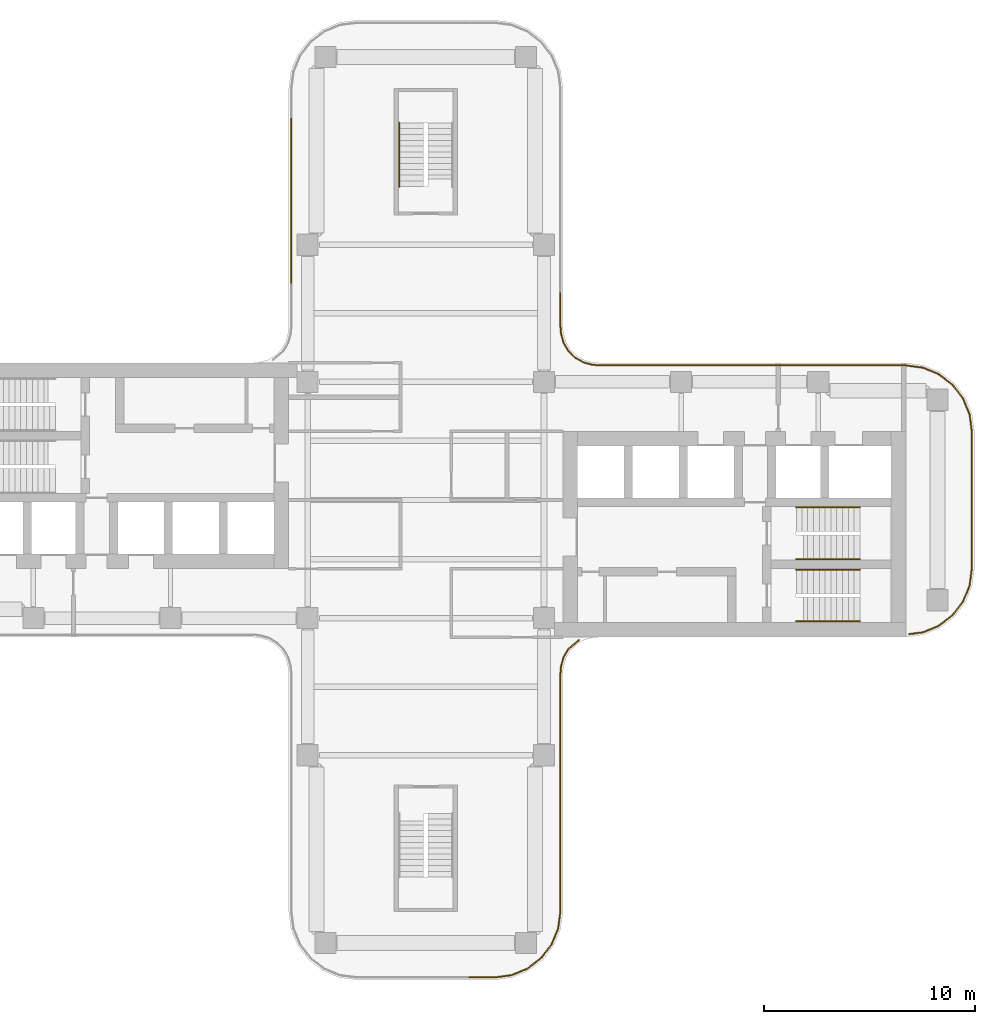
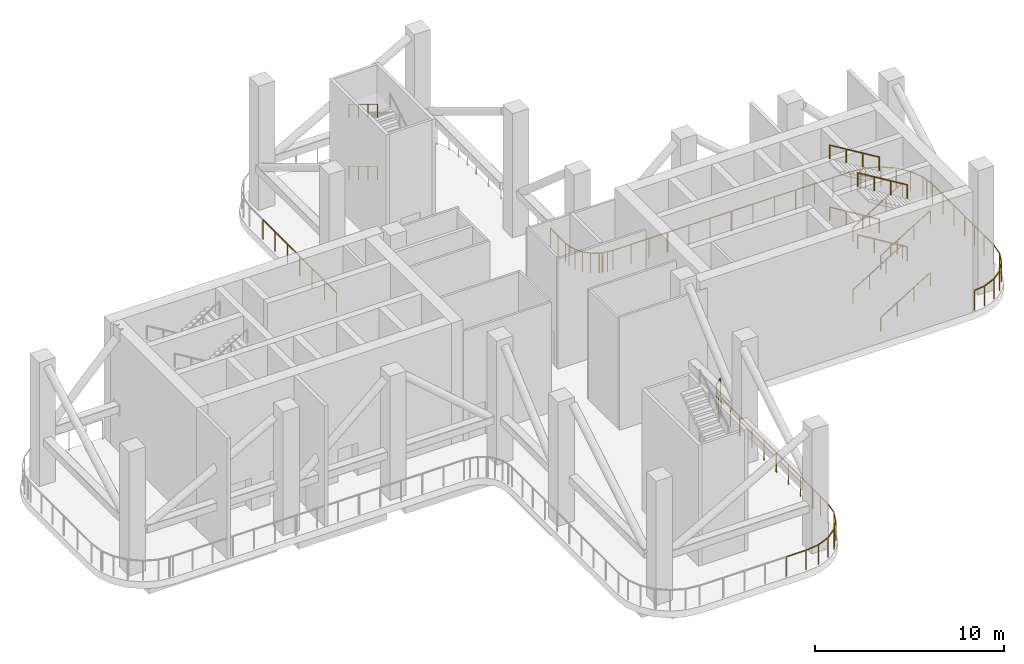
# One storey, part 8 of 9: 26 railings.
"""IFC4 building model written with IfcOpenShell, lengths in metres."""

from ifc_helpers import new_model, si_unit, direction, frame, origin, origin_2d, place, context, subcontext, project, spatial, rectangle, circle, extrude, source, transform, mapped, material, type_object, element, save


model = new_model("IFC4")

# Units and contexts
model_context = context("Model", 3, precision=1e-05, world=origin(), true_north=direction((0.0, 1.0)))
body_context = subcontext(model_context, "Body", "Model", "MODEL_VIEW")
ifc_project = project(units=[si_unit("LENGTHUNIT", "METRE"), si_unit("AREAUNIT", "SQUARE_METRE"), si_unit("VOLUMEUNIT", "CUBIC_METRE"), si_unit("PLANEANGLEUNIT", "RADIAN"), si_unit("MASSUNIT", "GRAM", prefix="KILO")], contexts=[model_context])

# Site, building, storey
site_placement = place(None, origin())
site = spatial("IfcSite", under=ifc_project, at=site_placement, CompositionType="ELEMENT")
building_placement = place(site_placement, origin())
building = spatial("IfcBuilding", under=site, at=building_placement, Name="Trellis Farm Tower", CompositionType="ELEMENT")
storey_placement = place(building_placement, frame((0.0, 0.0, 271.39990234375)))
storey = spatial("IfcBuildingStorey", under=building, at=storey_placement, Name="L61", CompositionType="ELEMENT", Elevation=271.39990234375)

# Railings
ifc_material_1 = material(Name="Stainless steel 316", Category="steel")
railing_type_1 = type_object("IfcRailingType", Name="BALUSTRADE GUARD 1300", PredefinedType="GUARDRAIL", material=ifc_material_1)
railing_1_placement = place(storey_placement, frame((-6.3798828125, 10.301025390625, 0.0)))
element("IfcRailing", 1, at=railing_1_placement, inside=storey, type_object=railing_type_1, Name="GD3 EDGE-2", PredefinedType="GUARDRAIL", context=body_context, shape_type="SweptSolid", body=[
    extrude(rectangle(XDim=0.050048828125, YDim=0.050048828125, at=origin_2d()), frame((0.0, 0.0, 1.27490234375), z_axis=(0.0, 1.0, 0.0), x_axis=(-1.0, 0.0, 0.0)), (0.0, 0.0, 1.0), 3.866943359375),
    extrude(rectangle(XDim=0.0400390625, YDim=0.0400390625, at=origin_2d()), origin(), (0.0, 0.0, 1.0), 1.25),
    extrude(rectangle(XDim=0.0400390625, YDim=0.0400390625, at=origin_2d()), frame((0.0, 1.2890625, 0.0)), (0.0, 0.0, 1.0), 1.25),
    extrude(rectangle(XDim=0.0400390625, YDim=0.0400390625, at=origin_2d()), frame((0.0, 2.577880859375, 0.0)), (0.0, 0.0, 1.0), 1.25),
    extrude(rectangle(XDim=0.0400390625, YDim=0.0400390625, at=origin_2d()), frame((0.0, 3.866943359375, 0.0)), (0.0, 0.0, 1.0), 1.25),
])
railing_2_placement = place(storey_placement, frame((6.3798828125, 9.795166015625, 0.0)))
element("IfcRailing", 2, at=railing_2_placement, inside=storey, type_object=railing_type_1, Name="GD3 EDGE-11", PredefinedType="GUARDRAIL", context=body_context, shape_type="SweptSolid", body=[
    extrude(rectangle(XDim=0.050048828125, YDim=0.050048828125, at=origin_2d()), frame((0.0, 0.0, 1.27490234375), z_axis=(0.0, -1.0, 0.0), x_axis=(1.0, 0.0, 0.0)), (0.0, 0.0, 1.0), 1.567626953125),
    extrude(rectangle(XDim=0.050048828125, YDim=0.050048828125, at=origin_2d()), frame((0.0, -1.567626953125, 1.27490234375), z_axis=(0.088443887633, -0.99608116072, 0.0), x_axis=(0.99608116072, 0.088443887633, 0.0)), (0.0, 0.0, 1.0), 0.336669921875),
    extrude(rectangle(XDim=0.050048828125, YDim=0.050048828125, at=origin_2d()), frame((0.02978515625, -1.903076171875, 1.27490234375), z_axis=(0.258891443638, -0.965906424252, 0.0), x_axis=(0.965906424252, 0.258891443638, 0.0)), (0.0, 0.0, 1.0), 0.445068359375),
    extrude(rectangle(XDim=0.050048828125, YDim=0.050048828125, at=origin_2d()), frame((0.14501953125, -2.3330078125, 1.27490234375), z_axis=(0.499971721724, -0.866041729639, 0.0), x_axis=(0.866041729639, 0.499971721724, 0.0)), (0.0, 0.0, 1.0), 0.4521484375),
    extrude(rectangle(XDim=0.050048828125, YDim=0.050048828125, at=origin_2d()), frame((0.37109375, -2.724609375, 1.27490234375), z_axis=(0.707106781187, -0.707106781187, 0.0), x_axis=(0.707106781187, 0.707106781187, 0.0)), (0.0, 0.0, 1.0), 0.451904296875),
    extrude(rectangle(XDim=0.050048828125, YDim=0.050048828125, at=origin_2d()), frame((0.690673828125, -3.044189453125, 1.27490234375), z_axis=(0.866041729639, -0.499971721724, 0.0), x_axis=(0.499971721724, 0.866041729639, 0.0)), (0.0, 0.0, 1.0), 0.4521484375),
    extrude(rectangle(XDim=0.050048828125, YDim=0.050048828125, at=origin_2d()), frame((1.082275390625, -3.270263671875, 1.27490234375), z_axis=(0.965805806367, -0.259266550846, 0.0), x_axis=(0.259266550846, 0.965805806367, 0.0)), (0.0, 0.0, 1.0), 0.1611328125),
    extrude(rectangle(XDim=0.0400390625, YDim=0.0400390625, at=origin_2d()), origin(), (0.0, 0.0, 1.0), 1.25),
    extrude(rectangle(XDim=0.0400390625, YDim=0.0400390625, at=origin_2d()), frame((0.0, -0.78369140625, 0.0)), (0.0, 0.0, 1.0), 1.25),
    extrude(rectangle(XDim=0.0400390625, YDim=0.0400390625, at=origin_2d()), frame((0.0, -1.567626953125, 0.0)), (0.0, 0.0, 1.0), 1.25),
    extrude(rectangle(XDim=0.0400390625, YDim=0.0400390625, at=origin_2d()), frame((0.02978515625, -1.903076171875, 0.0)), (0.0, 0.0, 1.0), 1.25),
    extrude(rectangle(XDim=0.0400390625, YDim=0.0400390625, at=origin_2d()), frame((0.14501953125, -2.3330078125, 0.0)), (0.0, 0.0, 1.0), 1.25),
    extrude(rectangle(XDim=0.0400390625, YDim=0.0400390625, at=origin_2d()), frame((0.37109375, -2.724609375, 0.0)), (0.0, 0.0, 1.0), 1.25),
    extrude(rectangle(XDim=0.0400390625, YDim=0.0400390625, at=origin_2d()), frame((0.690673828125, -3.044189453125, 0.0)), (0.0, 0.0, 1.0), 1.25),
    extrude(rectangle(XDim=0.0400390625, YDim=0.0400390625, at=origin_2d()), frame((1.082275390625, -3.270263671875, 0.0)), (0.0, 0.0, 1.0), 1.25),
    extrude(rectangle(XDim=0.0400390625, YDim=0.0400390625, at=origin_2d()), frame((1.23779296875, -3.31201171875, 0.0)), (0.0, 0.0, 1.0), 1.25),
])
railing_3_placement = place(storey_placement, frame((7.6611328125, 6.471435546875, 0.0)))
element("IfcRailing", 3, at=railing_3_placement, inside=storey, type_object=railing_type_1, Name="GD3 EDGE-12", PredefinedType="GUARDRAIL", context=body_context, shape_type="SweptSolid", body=[
    extrude(rectangle(XDim=0.050048828125, YDim=0.050048828125, at=origin_2d()), frame((0.0, 0.0, 1.27490234375), z_axis=(0.966048244839, -0.258361739899, 0.0), x_axis=(0.258361739899, 0.966048244839, 0.0)), (0.0, 0.0, 1.0), 0.239013671875),
    extrude(rectangle(XDim=0.050048828125, YDim=0.050048828125, at=origin_2d()), frame((0.23095703125, -0.061767578125, 1.27490234375), z_axis=(0.99608116072, -0.088443887633, 0.0), x_axis=(0.088443887633, 0.99608116072, 0.0)), (0.0, 0.0, 1.0), 0.336669921875),
    extrude(rectangle(XDim=0.050048828125, YDim=0.050048828125, at=origin_2d()), frame((0.56640625, -0.091552734375, 1.27490234375), z_axis=(1.0, 0.0, 0.0), x_axis=(0.0, 1.0, 0.0)), (0.0, 0.0, 1.0), 3.290771484375),
    extrude(rectangle(XDim=0.0400390625, YDim=0.0400390625, at=origin_2d()), origin(), (0.0, 0.0, 1.0), 1.25),
    extrude(rectangle(XDim=0.0400390625, YDim=0.0400390625, at=origin_2d()), frame((0.23095703125, -0.061767578125, 0.0)), (0.0, 0.0, 1.0), 1.25),
    extrude(rectangle(XDim=0.0400390625, YDim=0.0400390625, at=origin_2d()), frame((0.56640625, -0.091552734375, 0.0)), (0.0, 0.0, 1.0), 1.25),
    extrude(rectangle(XDim=0.0400390625, YDim=0.0400390625, at=origin_2d()), frame((1.663330078125, -0.091552734375, 0.0)), (0.0, 0.0, 1.0), 1.25),
    extrude(rectangle(XDim=0.0400390625, YDim=0.0400390625, at=origin_2d()), frame((2.76025390625, -0.091552734375, 0.0)), (0.0, 0.0, 1.0), 1.25),
    extrude(rectangle(XDim=0.0400390625, YDim=0.0400390625, at=origin_2d()), frame((3.857177734375, -0.091552734375, 0.0)), (0.0, 0.0, 1.0), 1.25),
])
railing_4_placement = place(storey_placement, frame((19.386962890625, 6.3798828125, 0.0)))
element("IfcRailing", 4, at=railing_4_placement, inside=storey, type_object=railing_type_1, Name="GD3 EDGE-15", PredefinedType="GUARDRAIL", context=body_context, shape_type="SweptSolid", body=[
    extrude(rectangle(XDim=0.050048828125, YDim=0.050048828125, at=origin_2d()), frame((0.0, 0.0, 1.27490234375), z_axis=(1.0, 0.0, 0.0), x_axis=(0.0, 1.0, 0.0)), (0.0, 0.0, 1.0), 3.355224609375),
    extrude(rectangle(XDim=0.050048828125, YDim=0.050048828125, at=origin_2d()), frame((3.355224609375, 0.0, 1.27490234375), z_axis=(0.991472158722, -0.130318680468, 0.0), x_axis=(0.130318680468, 0.991472158722, 0.0)), (0.0, 0.0, 1.0), 0.511474609375),
    extrude(rectangle(XDim=0.0400390625, YDim=0.0400390625, at=origin_2d()), origin(), (0.0, 0.0, 1.0), 1.25),
    extrude(rectangle(XDim=0.0400390625, YDim=0.0400390625, at=origin_2d()), frame((1.118408203125, 0.0, 0.0)), (0.0, 0.0, 1.0), 1.25),
    extrude(rectangle(XDim=0.0400390625, YDim=0.0400390625, at=origin_2d()), frame((2.23681640625, 0.0, 0.0)), (0.0, 0.0, 1.0), 1.25),
    extrude(rectangle(XDim=0.0400390625, YDim=0.0400390625, at=origin_2d()), frame((3.355224609375, 0.0, 0.0)), (0.0, 0.0, 1.0), 1.25),
    extrude(rectangle(XDim=0.0400390625, YDim=0.0400390625, at=origin_2d()), frame((3.8623046875, -0.066650390625, 0.0)), (0.0, 0.0, 1.0), 1.25),
])
railing_5_placement = place(storey_placement, frame((23.2939453125, 6.307373046875, 0.0)))
element("IfcRailing", 5, at=railing_5_placement, inside=storey, type_object=railing_type_1, Name="GD3 EDGE-16", PredefinedType="GUARDRAIL", context=body_context, shape_type="SweptSolid", body=[
    extrude(rectangle(XDim=0.050048828125, YDim=0.050048828125, at=origin_2d()), frame((0.0, 0.0, 1.27490234375), z_axis=(0.991370431245, -0.131090304958, 0.0), x_axis=(0.131090304958, 0.991370431245, 0.0)), (0.0, 0.0, 1.0), 0.26806640625),
    extrude(rectangle(XDim=0.050048828125, YDim=0.050048828125, at=origin_2d()), frame((0.265869140625, -0.03515625, 1.27490234375), z_axis=(0.923914838122, -0.382598185958, 0.0), x_axis=(0.382598185958, 0.923914838122, 0.0)), (0.0, 0.0, 1.0), 0.81689453125),
    extrude(rectangle(XDim=0.050048828125, YDim=0.050048828125, at=origin_2d()), frame((1.0205078125, -0.34765625, 1.27490234375), z_axis=(0.793279109615, -0.608858156099, 0.0), x_axis=(0.608858156099, 0.793279109615, 0.0)), (0.0, 0.0, 1.0), 0.81689453125),
    extrude(rectangle(XDim=0.050048828125, YDim=0.050048828125, at=origin_2d()), frame((1.66845703125, -0.844970703125, 1.27490234375), z_axis=(0.608858156099, -0.793279109615, 0.0), x_axis=(0.793279109615, 0.608858156099, 0.0)), (0.0, 0.0, 1.0), 0.81689453125),
    extrude(rectangle(XDim=0.050048828125, YDim=0.050048828125, at=origin_2d()), frame((2.165771484375, -1.492919921875, 1.27490234375), z_axis=(0.382598185958, -0.923914838122, 0.0), x_axis=(0.923914838122, 0.382598185958, 0.0)), (0.0, 0.0, 1.0), 0.81689453125),
    extrude(rectangle(XDim=0.050048828125, YDim=0.050048828125, at=origin_2d()), frame((2.478271484375, -2.24755859375, 1.27490234375), z_axis=(0.131198066394, -0.991356175839, 0.0), x_axis=(0.991356175839, 0.131198066394, 0.0)), (0.0, 0.0, 1.0), 0.331298828125),
    extrude(rectangle(XDim=0.0400390625, YDim=0.0400390625, at=origin_2d()), origin(), (0.0, 0.0, 1.0), 1.25),
    extrude(rectangle(XDim=0.0400390625, YDim=0.0400390625, at=origin_2d()), frame((0.265869140625, -0.03515625, 0.0)), (0.0, 0.0, 1.0), 1.25),
    extrude(rectangle(XDim=0.0400390625, YDim=0.0400390625, at=origin_2d()), frame((1.0205078125, -0.34765625, 0.0)), (0.0, 0.0, 1.0), 1.25),
    extrude(rectangle(XDim=0.0400390625, YDim=0.0400390625, at=origin_2d()), frame((1.66845703125, -0.844970703125, 0.0)), (0.0, 0.0, 1.0), 1.25),
    extrude(rectangle(XDim=0.0400390625, YDim=0.0400390625, at=origin_2d()), frame((2.165771484375, -1.492919921875, 0.0)), (0.0, 0.0, 1.0), 1.25),
    extrude(rectangle(XDim=0.0400390625, YDim=0.0400390625, at=origin_2d()), frame((2.478271484375, -2.24755859375, 0.0)), (0.0, 0.0, 1.0), 1.25),
    extrude(rectangle(XDim=0.0400390625, YDim=0.0400390625, at=origin_2d()), frame((2.521728515625, -2.575927734375, 0.0)), (0.0, 0.0, 1.0), 1.25),
])
railing_6_placement = place(storey_placement, frame((25.8212890625, 3.686767578125, 0.0)))
element("IfcRailing", 6, at=railing_6_placement, inside=storey, type_object=railing_type_1, Name="GD3 EDGE-17", PredefinedType="GUARDRAIL", context=body_context, shape_type="SweptSolid", body=[
    extrude(rectangle(XDim=0.050048828125, YDim=0.050048828125, at=origin_2d()), frame((0.0, 0.0, 1.27490234375), z_axis=(0.130665762971, -0.991426476541, 0.0), x_axis=(0.991426476541, 0.130665762971, 0.0)), (0.0, 0.0, 1.0), 0.448486328125),
    extrude(rectangle(XDim=0.050048828125, YDim=0.050048828125, at=origin_2d()), frame((0.05859375, -0.444580078125, 1.27490234375), z_axis=(0.0, -1.0, 0.0), x_axis=(1.0, 0.0, 0.0)), (0.0, 0.0, 1.0), 3.41845703125),
    extrude(rectangle(XDim=0.0400390625, YDim=0.0400390625, at=origin_2d()), origin(), (0.0, 0.0, 1.0), 1.25),
    extrude(rectangle(XDim=0.0400390625, YDim=0.0400390625, at=origin_2d()), frame((0.05859375, -0.444580078125, 0.0)), (0.0, 0.0, 1.0), 1.25),
    extrude(rectangle(XDim=0.0400390625, YDim=0.0400390625, at=origin_2d()), frame((0.05859375, -1.583984375, 0.0)), (0.0, 0.0, 1.0), 1.25),
    extrude(rectangle(XDim=0.0400390625, YDim=0.0400390625, at=origin_2d()), frame((0.05859375, -2.7236328125, 0.0)), (0.0, 0.0, 1.0), 1.25),
    extrude(rectangle(XDim=0.0400390625, YDim=0.0400390625, at=origin_2d()), frame((0.05859375, -3.863037109375, 0.0)), (0.0, 0.0, 1.0), 1.25),
])
railing_7_placement = place(storey_placement, frame((25.8798828125, -0.22119140625, 0.0)))
element("IfcRailing", 7, at=railing_7_placement, inside=storey, type_object=railing_type_1, Name="GD3 EDGE-18", PredefinedType="GUARDRAIL", context=body_context, shape_type="SweptSolid", body=[
    extrude(rectangle(XDim=0.050048828125, YDim=0.050048828125, at=origin_2d()), frame((0.0, 0.0, 1.27490234375), z_axis=(0.0, -1.0, 0.0), x_axis=(1.0, 0.0, 0.0)), (0.0, 0.0, 1.0), 3.02099609375),
    extrude(rectangle(XDim=0.050048828125, YDim=0.050048828125, at=origin_2d()), frame((0.0, -3.02099609375, 1.27490234375), z_axis=(-0.130554065513, -0.991441191387, 0.0), x_axis=(0.991441191387, -0.130554065513, 0.0)), (0.0, 0.0, 1.0), 0.82470703125),
    extrude(rectangle(XDim=0.050048828125, YDim=0.050048828125, at=origin_2d()), frame((-0.107666015625, -3.838623046875, 1.27490234375), z_axis=(-0.381330922953, -0.924438601098, 0.0), x_axis=(0.924438601098, -0.381330922953, 0.0)), (0.0, 0.0, 1.0), 0.021240234375),
    extrude(rectangle(XDim=0.0400390625, YDim=0.0400390625, at=origin_2d()), origin(), (0.0, 0.0, 1.0), 1.25),
    extrude(rectangle(XDim=0.0400390625, YDim=0.0400390625, at=origin_2d()), frame((0.0, -1.007080078125, 0.0)), (0.0, 0.0, 1.0), 1.25),
    extrude(rectangle(XDim=0.0400390625, YDim=0.0400390625, at=origin_2d()), frame((0.0, -2.013916015625, 0.0)), (0.0, 0.0, 1.0), 1.25),
    extrude(rectangle(XDim=0.0400390625, YDim=0.0400390625, at=origin_2d()), frame((0.0, -3.02099609375, 0.0)), (0.0, 0.0, 1.0), 1.25),
    extrude(rectangle(XDim=0.0400390625, YDim=0.0400390625, at=origin_2d()), frame((-0.107666015625, -3.838623046875, 0.0)), (0.0, 0.0, 1.0), 1.25),
    extrude(rectangle(XDim=0.0400390625, YDim=0.0400390625, at=origin_2d()), frame((-0.11572265625, -3.858154296875, 0.0)), (0.0, 0.0, 1.0), 1.25),
])
railing_8_placement = place(storey_placement, frame((25.7470703125, -4.120849609375, 0.0)))
element("IfcRailing", 8, at=railing_8_placement, inside=storey, type_object=railing_type_1, Name="GD3 EDGE-19", PredefinedType="GUARDRAIL", context=body_context, shape_type="SweptSolid", body=[
    extrude(rectangle(XDim=0.050048828125, YDim=0.050048828125, at=origin_2d()), frame((0.0, 0.0, 1.27490234375), z_axis=(-0.382744292772, -0.923854320957, 0.0), x_axis=(0.923854320957, -0.382744292772, 0.0)), (0.0, 0.0, 1.0), 0.750732421875),
    extrude(rectangle(XDim=0.050048828125, YDim=0.050048828125, at=origin_2d()), frame((-0.287353515625, -0.693603515625, 1.27490234375), z_axis=(-0.608858156099, -0.793279109615, 0.0), x_axis=(0.793279109615, -0.608858156099, 0.0)), (0.0, 0.0, 1.0), 0.81689453125),
    extrude(rectangle(XDim=0.050048828125, YDim=0.050048828125, at=origin_2d()), frame((-0.78466796875, -1.341552734375, 1.27490234375), z_axis=(-0.793279109615, -0.608858156099, 0.0), x_axis=(0.608858156099, -0.793279109615, 0.0)), (0.0, 0.0, 1.0), 0.81689453125),
    extrude(rectangle(XDim=0.050048828125, YDim=0.050048828125, at=origin_2d()), frame((-1.4326171875, -1.8388671875, 1.27490234375), z_axis=(-0.923914838122, -0.382598185958, 0.0), x_axis=(0.382598185958, -0.923914838122, 0.0)), (0.0, 0.0, 1.0), 0.81689453125),
    extrude(rectangle(XDim=0.050048828125, YDim=0.050048828125, at=origin_2d()), frame((-2.187255859375, -2.1513671875, 1.27490234375), z_axis=(-0.991438058147, -0.130577857455, 0.0), x_axis=(0.130577857455, -0.991438058147, 0.0)), (0.0, 0.0, 1.0), 0.66552734375),
    extrude(rectangle(XDim=0.0400390625, YDim=0.0400390625, at=origin_2d()), origin(), (0.0, 0.0, 1.0), 1.25),
    extrude(rectangle(XDim=0.0400390625, YDim=0.0400390625, at=origin_2d()), frame((-0.287353515625, -0.693603515625, 0.0)), (0.0, 0.0, 1.0), 1.25),
    extrude(rectangle(XDim=0.0400390625, YDim=0.0400390625, at=origin_2d()), frame((-0.78466796875, -1.341552734375, 0.0)), (0.0, 0.0, 1.0), 1.25),
    extrude(rectangle(XDim=0.0400390625, YDim=0.0400390625, at=origin_2d()), frame((-1.4326171875, -1.8388671875, 0.0)), (0.0, 0.0, 1.0), 1.25),
    extrude(rectangle(XDim=0.0400390625, YDim=0.0400390625, at=origin_2d()), frame((-2.187255859375, -2.1513671875, 0.0)), (0.0, 0.0, 1.0), 1.25),
    extrude(rectangle(XDim=0.0400390625, YDim=0.0400390625, at=origin_2d()), frame((-2.84716796875, -2.23828125, 0.0)), (0.0, 0.0, 1.0), 1.25),
])
railing_9_placement = place(storey_placement, frame((7.245361328125, -6.64990234375, 0.0)))
element("IfcRailing", 9, at=railing_9_placement, inside=storey, type_object=railing_type_1, Name="GD3 EDGE-20", PredefinedType="GUARDRAIL", context=body_context, shape_type="SweptSolid", body=[
    extrude(rectangle(XDim=0.050048828125, YDim=0.050048828125, at=origin_2d()), frame((0.0, 0.0, 1.27490234375), z_axis=(-0.761614428035, -0.648030449138, 0.0), x_axis=(0.648030449138, -0.761614428035, 0.0)), (0.0, 0.0, 1.0), 0.649169921875),
    extrude(rectangle(XDim=0.050048828125, YDim=0.050048828125, at=origin_2d()), frame((-0.494384765625, -0.420654296875, 1.27490234375), z_axis=(-0.499971721724, -0.866041729639, 0.0), x_axis=(0.866041729639, -0.499971721724, 0.0)), (0.0, 0.0, 1.0), 0.4521484375),
    extrude(rectangle(XDim=0.050048828125, YDim=0.050048828125, at=origin_2d()), frame((-0.720458984375, -0.812255859375, 1.27490234375), z_axis=(-0.258891443638, -0.965906424252, 0.0), x_axis=(0.965906424252, -0.258891443638, 0.0)), (0.0, 0.0, 1.0), 0.445068359375),
    extrude(rectangle(XDim=0.050048828125, YDim=0.050048828125, at=origin_2d()), frame((-0.835693359375, -1.2421875, 1.27490234375), z_axis=(-0.088443887633, -0.99608116072, 0.0), x_axis=(0.99608116072, -0.088443887633, 0.0)), (0.0, 0.0, 1.0), 0.336669921875),
    extrude(rectangle(XDim=0.050048828125, YDim=0.050048828125, at=origin_2d()), frame((-0.865478515625, -1.57763671875, 1.27490234375), z_axis=(0.0, -1.0, 0.0), x_axis=(1.0, 0.0, 0.0)), (0.0, 0.0, 1.0), 1.965576171875),
    extrude(rectangle(XDim=0.0400390625, YDim=0.0400390625, at=origin_2d()), origin(), (0.0, 0.0, 1.0), 1.25),
    extrude(rectangle(XDim=0.0400390625, YDim=0.0400390625, at=origin_2d()), frame((-0.494384765625, -0.420654296875, 0.0)), (0.0, 0.0, 1.0), 1.25),
    extrude(rectangle(XDim=0.0400390625, YDim=0.0400390625, at=origin_2d()), frame((-0.720458984375, -0.812255859375, 0.0)), (0.0, 0.0, 1.0), 1.25),
    extrude(rectangle(XDim=0.0400390625, YDim=0.0400390625, at=origin_2d()), frame((-0.835693359375, -1.2421875, 0.0)), (0.0, 0.0, 1.0), 1.25),
    extrude(rectangle(XDim=0.0400390625, YDim=0.0400390625, at=origin_2d()), frame((-0.865478515625, -1.57763671875, 0.0)), (0.0, 0.0, 1.0), 1.25),
    extrude(rectangle(XDim=0.0400390625, YDim=0.0400390625, at=origin_2d()), frame((-0.865478515625, -2.560546875, 0.0)), (0.0, 0.0, 1.0), 1.25),
    extrude(rectangle(XDim=0.0400390625, YDim=0.0400390625, at=origin_2d()), frame((-0.865478515625, -3.543212890625, 0.0)), (0.0, 0.0, 1.0), 1.25),
])
railing_10_placement = place(storey_placement, frame((6.3798828125, -14.0869140625, 0.0)))
element("IfcRailing", 10, at=railing_10_placement, inside=storey, type_object=railing_type_1, Name="GD3 EDGE-22", PredefinedType="GUARDRAIL", context=body_context, shape_type="SweptSolid", body=[
    extrude(rectangle(XDim=0.050048828125, YDim=0.050048828125, at=origin_2d()), frame((0.0, 0.0, 1.27490234375), z_axis=(0.0, -1.0, 0.0), x_axis=(1.0, 0.0, 0.0)), (0.0, 0.0, 1.0), 3.803955078125),
    extrude(rectangle(XDim=0.0400390625, YDim=0.0400390625, at=origin_2d()), origin(), (0.0, 0.0, 1.0), 1.25),
    extrude(rectangle(XDim=0.0400390625, YDim=0.0400390625, at=origin_2d()), frame((0.0, -1.26806640625, 0.0)), (0.0, 0.0, 1.0), 1.25),
    extrude(rectangle(XDim=0.0400390625, YDim=0.0400390625, at=origin_2d()), frame((0.0, -2.535888671875, 0.0)), (0.0, 0.0, 1.0), 1.25),
    extrude(rectangle(XDim=0.0400390625, YDim=0.0400390625, at=origin_2d()), frame((0.0, -3.803955078125, 0.0)), (0.0, 0.0, 1.0), 1.25),
])
railing_11_placement = place(storey_placement, frame((6.3798828125, -17.935791015625, 0.0)))
element("IfcRailing", 11, at=railing_11_placement, inside=storey, type_object=railing_type_1, Name="GD3 EDGE-23", PredefinedType="GUARDRAIL", context=body_context, shape_type="SweptSolid", body=[
    extrude(rectangle(XDim=0.050048828125, YDim=0.050048828125, at=origin_2d()), frame((0.0, 0.0, 1.27490234375), z_axis=(0.0, -1.0, 0.0), x_axis=(1.0, 0.0, 0.0)), (0.0, 0.0, 1.0), 1.556396484375),
    extrude(rectangle(XDim=0.050048828125, YDim=0.050048828125, at=origin_2d()), frame((0.0, -1.556396484375, 1.27490234375), z_axis=(-0.130554065513, -0.991441191387, 0.0), x_axis=(0.991441191387, -0.130554065513, 0.0)), (0.0, 0.0, 1.0), 0.82470703125),
    extrude(rectangle(XDim=0.050048828125, YDim=0.050048828125, at=origin_2d()), frame((-0.107666015625, -2.3740234375, 1.27490234375), z_axis=(-0.382598185958, -0.923914838122, 0.0), x_axis=(0.923914838122, -0.382598185958, 0.0)), (0.0, 0.0, 1.0), 0.81689453125),
    extrude(rectangle(XDim=0.050048828125, YDim=0.050048828125, at=origin_2d()), frame((-0.420166015625, -3.128662109375, 1.27490234375), z_axis=(-0.608795197289, -0.793327427837, 0.0), x_axis=(0.793327427837, -0.608795197289, 0.0)), (0.0, 0.0, 1.0), 0.60595703125),
    extrude(rectangle(XDim=0.0400390625, YDim=0.0400390625, at=origin_2d()), origin(), (0.0, 0.0, 1.0), 1.25),
    extrude(rectangle(XDim=0.0400390625, YDim=0.0400390625, at=origin_2d()), frame((0.0, -0.7783203125, 0.0)), (0.0, 0.0, 1.0), 1.25),
    extrude(rectangle(XDim=0.0400390625, YDim=0.0400390625, at=origin_2d()), frame((0.0, -1.556396484375, 0.0)), (0.0, 0.0, 1.0), 1.25),
    extrude(rectangle(XDim=0.0400390625, YDim=0.0400390625, at=origin_2d()), frame((-0.107666015625, -2.3740234375, 0.0)), (0.0, 0.0, 1.0), 1.25),
    extrude(rectangle(XDim=0.0400390625, YDim=0.0400390625, at=origin_2d()), frame((-0.420166015625, -3.128662109375, 0.0)), (0.0, 0.0, 1.0), 1.25),
    extrude(rectangle(XDim=0.0400390625, YDim=0.0400390625, at=origin_2d()), frame((-0.7890625, -3.609375, 0.0)), (0.0, 0.0, 1.0), 1.25),
])
railing_12_placement = place(storey_placement, frame((5.5634765625, -21.580810546875, 0.0)))
element("IfcRailing", 12, at=railing_12_placement, inside=storey, type_object=railing_type_1, Name="GD3 EDGE-24", PredefinedType="GUARDRAIL", context=body_context, shape_type="SweptSolid", body=[
    extrude(rectangle(XDim=0.050048828125, YDim=0.050048828125, at=origin_2d()), frame((0.0, 0.0, 1.27490234375), z_axis=(-0.609141752095, -0.793061363234, 0.0), x_axis=(0.793061363234, -0.609141752095, 0.0)), (0.0, 0.0, 1.0), 0.166015625),
    extrude(rectangle(XDim=0.050048828125, YDim=0.050048828125, at=origin_2d()), frame((-0.10107421875, -0.131591796875, 1.27490234375), z_axis=(-0.793279109615, -0.608858156099, 0.0), x_axis=(0.608858156099, -0.793279109615, 0.0)), (0.0, 0.0, 1.0), 0.81689453125),
    extrude(rectangle(XDim=0.050048828125, YDim=0.050048828125, at=origin_2d()), frame((-0.7490234375, -0.62890625, 1.27490234375), z_axis=(-0.923914838122, -0.382598185958, 0.0), x_axis=(0.382598185958, -0.923914838122, 0.0)), (0.0, 0.0, 1.0), 0.81689453125),
    extrude(rectangle(XDim=0.050048828125, YDim=0.050048828125, at=origin_2d()), frame((-1.503662109375, -0.94140625, 1.27490234375), z_axis=(-0.991441191387, -0.130554065513, 0.0), x_axis=(0.130554065513, -0.991441191387, 0.0)), (0.0, 0.0, 1.0), 0.82470703125),
    extrude(rectangle(XDim=0.050048828125, YDim=0.050048828125, at=origin_2d()), frame((-2.3212890625, -1.049072265625, 1.27490234375), z_axis=(-1.0, 0.0, 0.0), x_axis=(0.0, -1.0, 0.0)), (0.0, 0.0, 1.0), 1.179443359375),
    extrude(rectangle(XDim=0.0400390625, YDim=0.0400390625, at=origin_2d()), origin(), (0.0, 0.0, 1.0), 1.25),
    extrude(rectangle(XDim=0.0400390625, YDim=0.0400390625, at=origin_2d()), frame((-0.10107421875, -0.131591796875, 0.0)), (0.0, 0.0, 1.0), 1.25),
    extrude(rectangle(XDim=0.0400390625, YDim=0.0400390625, at=origin_2d()), frame((-0.7490234375, -0.62890625, 0.0)), (0.0, 0.0, 1.0), 1.25),
    extrude(rectangle(XDim=0.0400390625, YDim=0.0400390625, at=origin_2d()), frame((-1.503662109375, -0.94140625, 0.0)), (0.0, 0.0, 1.0), 1.25),
    extrude(rectangle(XDim=0.0400390625, YDim=0.0400390625, at=origin_2d()), frame((-2.3212890625, -1.049072265625, 0.0)), (0.0, 0.0, 1.0), 1.25),
    extrude(rectangle(XDim=0.0400390625, YDim=0.0400390625, at=origin_2d()), frame((-3.500732421875, -1.049072265625, 0.0)), (0.0, 0.0, 1.0), 1.25),
])
ifc_material_2 = material(Name="Stainless steel", Category="steel")
railing_type_2 = type_object("IfcRailingType", Name="STAIR HANDRAIL 900", PredefinedType="HANDRAIL", material=ifc_material_2)
shared_shape_1 = source(origin(), body_context, "Body", "SweptSolid", [
    extrude(circle(Radius=0.02392578125, at=origin_2d()), frame((0.0, 0.0, 0.8759765625), z_axis=(0.0, -0.855200612876, 0.518297126884), x_axis=(1.0, 0.0, 0.0)), (0.0, 0.0, 1.0), 3.537109375),
    extrude(circle(Radius=0.02099609375, at=origin_2d()), origin(), (0.0, 0.0, 1.0), 0.851806640625),
    extrude(circle(Radius=0.02099609375, at=origin_2d()), frame((0.0, -1.00830078125, 0.611083984375)), (0.0, 0.0, 1.0), 0.851806640625),
    extrude(circle(Radius=0.02099609375, at=origin_2d()), frame((0.0, -2.0166015625, 1.22216796875)), (0.0, 0.0, 1.0), 0.851806640625),
    extrude(circle(Radius=0.02099609375, at=origin_2d()), frame((0.0, -3.02490234375, 1.833251953125)), (0.0, 0.0, 1.0), 0.851806640625),
])
for number, where, name in (
    (13, (-1.25, 17.875, 2.166748046875), "Stair handrail"),
    (14, (-1.25, 17.875, 6.166748046875), "Stair handrail"),
):
    element("IfcRailing", number, at=place(storey_placement, frame(where)), inside=storey, type_object=railing_type_2, Name=name, PredefinedType="HANDRAIL", context=body_context, shape_type="MappedRepresentation", body=[
        mapped(shared_shape_1, transform((0.0, 0.0, 0.0))),
    ])
shared_shape_2 = source(origin(), body_context, "Body", "SweptSolid", [
    extrude(circle(Radius=0.02392578125, at=origin_2d()), frame((0.0, 0.0, 0.8759765625), z_axis=(0.855200612876, 0.0, 0.518297126884), x_axis=(0.0, 1.0, 0.0)), (0.0, 0.0, 1.0), 3.537109375),
    extrude(circle(Radius=0.02099609375, at=origin_2d()), origin(), (0.0, 0.0, 1.0), 0.851806640625),
    extrude(circle(Radius=0.02099609375, at=origin_2d()), frame((1.00830078125, 0.0, 0.611083984375)), (0.0, 0.0, 1.0), 0.851806640625),
    extrude(circle(Radius=0.02099609375, at=origin_2d()), frame((2.0166015625, 0.0, 1.22216796875)), (0.0, 0.0, 1.0), 0.851806640625),
    extrude(circle(Radius=0.02099609375, at=origin_2d()), frame((3.02490234375, 0.0, 1.833251953125)), (0.0, 0.0, 1.0), 0.851806640625),
])
for number, where, name in (
    (15, (17.550048828125, -5.75, 0.166748046875), "Stair handrail"),
    (16, (17.550048828125, -5.75, 4.166748046875), "Stair handrail"),
    (17, (17.550048828125, -2.800048828125, 0.166748046875), "Stair handrail"),
    (18, (17.550048828125, -2.800048828125, 4.166748046875), "Stair handrail"),
):
    element("IfcRailing", number, at=place(storey_placement, frame(where)), inside=storey, type_object=railing_type_2, Name=name, PredefinedType="HANDRAIL", context=body_context, shape_type="MappedRepresentation", body=[
        mapped(shared_shape_2, transform((0.0, 0.0, 0.0))),
    ])
shared_shape_3 = source(origin(), body_context, "Body", "SweptSolid", [
    extrude(circle(Radius=0.02392578125, at=origin_2d()), frame((0.0, 0.0, 0.8759765625), z_axis=(-0.855200612876, 0.0, 0.518297126884), x_axis=(0.0, -1.0, 0.0)), (0.0, 0.0, 1.0), 3.537109375),
    extrude(circle(Radius=0.02099609375, at=origin_2d()), origin(), (0.0, 0.0, 1.0), 0.851806640625),
    extrude(circle(Radius=0.02099609375, at=origin_2d()), frame((-1.00830078125, 0.0, 0.611083984375)), (0.0, 0.0, 1.0), 0.851806640625),
    extrude(circle(Radius=0.02099609375, at=origin_2d()), frame((-2.0166015625, 0.0, 1.22216796875)), (0.0, 0.0, 1.0), 0.851806640625),
    extrude(circle(Radius=0.02099609375, at=origin_2d()), frame((-3.02490234375, 0.0, 1.833251953125)), (0.0, 0.0, 1.0), 0.851806640625),
])
for number, where, name in (
    (19, (20.574951171875, -3.300048828125, 2.166748046875), "Stair handrail"),
    (20, (20.574951171875, -3.300048828125, 6.166748046875), "Stair handrail"),
    (21, (20.574951171875, -0.35009765625, 2.166748046875), "Stair handrail"),
    (22, (20.574951171875, -0.35009765625, 6.166748046875), "Stair handrail"),
):
    element("IfcRailing", number, at=place(storey_placement, frame(where)), inside=storey, type_object=railing_type_2, Name=name, PredefinedType="HANDRAIL", context=body_context, shape_type="MappedRepresentation", body=[
        mapped(shared_shape_3, transform((0.0, 0.0, 0.0))),
    ])
shared_shape_4 = source(origin(), body_context, "Body", "SweptSolid", [
    extrude(rectangle(XDim=0.050048828125, YDim=0.050048828125, at=origin_2d()), frame((0.0, 0.0, 1.27490234375), z_axis=(0.0, -1.0, 0.0), x_axis=(1.0, 0.0, 0.0)), (0.0, 0.0, 1.0), 3.8037109375),
    extrude(rectangle(XDim=0.0400390625, YDim=0.0400390625, at=origin_2d()), origin(), (0.0, 0.0, 1.0), 1.25),
    extrude(rectangle(XDim=0.0400390625, YDim=0.0400390625, at=origin_2d()), frame((0.0, -1.267822265625, 0.0)), (0.0, 0.0, 1.0), 1.25),
    extrude(rectangle(XDim=0.0400390625, YDim=0.0400390625, at=origin_2d()), frame((0.0, -2.535888671875, 0.0)), (0.0, 0.0, 1.0), 1.25),
    extrude(rectangle(XDim=0.0400390625, YDim=0.0400390625, at=origin_2d()), frame((0.0, -3.8037109375, 0.0)), (0.0, 0.0, 1.0), 1.25),
])
railing_13_placement = place(storey_placement, frame((6.3798828125, -10.23828125, 0.0)))
element("IfcRailing", 23, at=railing_13_placement, inside=storey, type_object=railing_type_1, Name="GD3 EDGE-21", PredefinedType="GUARDRAIL", context=body_context, shape_type="MappedRepresentation", body=[
    mapped(shared_shape_4, transform((0.0, 0.0, 0.0))),
])
shared_shape_5 = source(origin(), body_context, "Body", "SweptSolid", [
    extrude(rectangle(XDim=0.050048828125, YDim=0.050048828125, at=origin_2d()), frame((0.0, 0.0, 1.27490234375), z_axis=(1.0, 0.0, 0.0), x_axis=(0.0, 1.0, 0.0)), (0.0, 0.0, 1.0), 3.86669921875),
    extrude(rectangle(XDim=0.0400390625, YDim=0.0400390625, at=origin_2d()), origin(), (0.0, 0.0, 1.0), 1.25),
    extrude(rectangle(XDim=0.0400390625, YDim=0.0400390625, at=origin_2d()), frame((1.288818359375, 0.0, 0.0)), (0.0, 0.0, 1.0), 1.25),
    extrude(rectangle(XDim=0.0400390625, YDim=0.0400390625, at=origin_2d()), frame((2.577880859375, 0.0, 0.0)), (0.0, 0.0, 1.0), 1.25),
    extrude(rectangle(XDim=0.0400390625, YDim=0.0400390625, at=origin_2d()), frame((3.86669921875, 0.0, 0.0)), (0.0, 0.0, 1.0), 1.25),
])
for number, where, name in (
    (24, (11.5634765625, 6.3798828125, 0.0), "GD3 EDGE-13"),
    (25, (15.47509765625, 6.3798828125, 0.0), "GD3 EDGE-14"),
):
    element("IfcRailing", number, at=place(storey_placement, frame(where)), inside=storey, type_object=railing_type_1, Name=name, PredefinedType="GUARDRAIL", context=body_context, shape_type="MappedRepresentation", body=[
        mapped(shared_shape_5, transform((0.0, 0.0, 0.0))),
    ])
shared_shape_6 = source(origin(), body_context, "Body", "SweptSolid", [
    extrude(rectangle(XDim=0.050048828125, YDim=0.050048828125, at=origin_2d()), frame((0.0, 0.0, 1.27490234375), z_axis=(0.0, 1.0, 0.0), x_axis=(-1.0, 0.0, 0.0)), (0.0, 0.0, 1.0), 3.86669921875),
    extrude(rectangle(XDim=0.0400390625, YDim=0.0400390625, at=origin_2d()), origin(), (0.0, 0.0, 1.0), 1.25),
    extrude(rectangle(XDim=0.0400390625, YDim=0.0400390625, at=origin_2d()), frame((0.0, 1.288818359375, 0.0)), (0.0, 0.0, 1.0), 1.25),
    extrude(rectangle(XDim=0.0400390625, YDim=0.0400390625, at=origin_2d()), frame((0.0, 2.577880859375, 0.0)), (0.0, 0.0, 1.0), 1.25),
    extrude(rectangle(XDim=0.0400390625, YDim=0.0400390625, at=origin_2d()), frame((0.0, 3.86669921875, 0.0)), (0.0, 0.0, 1.0), 1.25),
])
railing_14_placement = place(storey_placement, frame((-6.3798828125, 14.212890625, 0.0)))
element("IfcRailing", 26, at=railing_14_placement, inside=storey, type_object=railing_type_1, Name="GD3 EDGE-3", PredefinedType="GUARDRAIL", context=body_context, shape_type="MappedRepresentation", body=[
    mapped(shared_shape_6, transform((0.0, 0.0, 0.0))),
])

save(model, "model.ifc")
